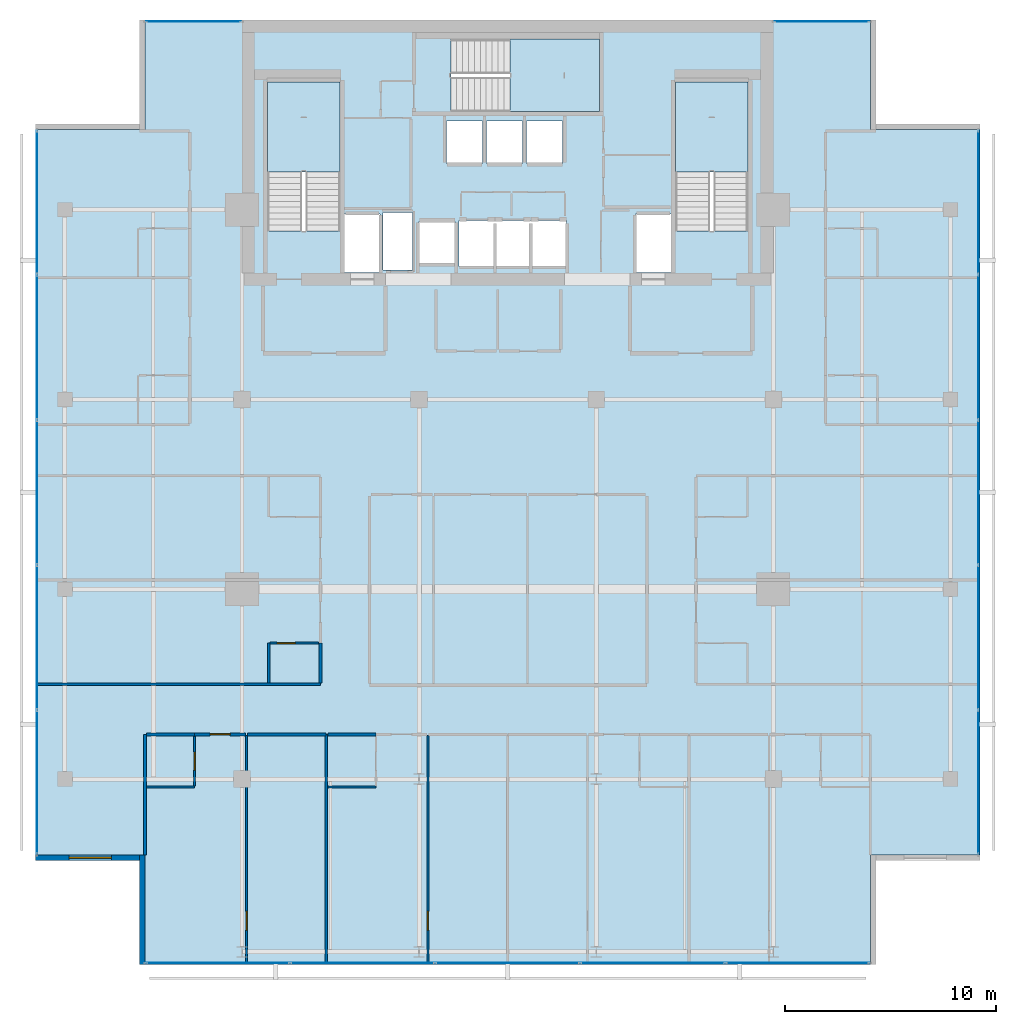
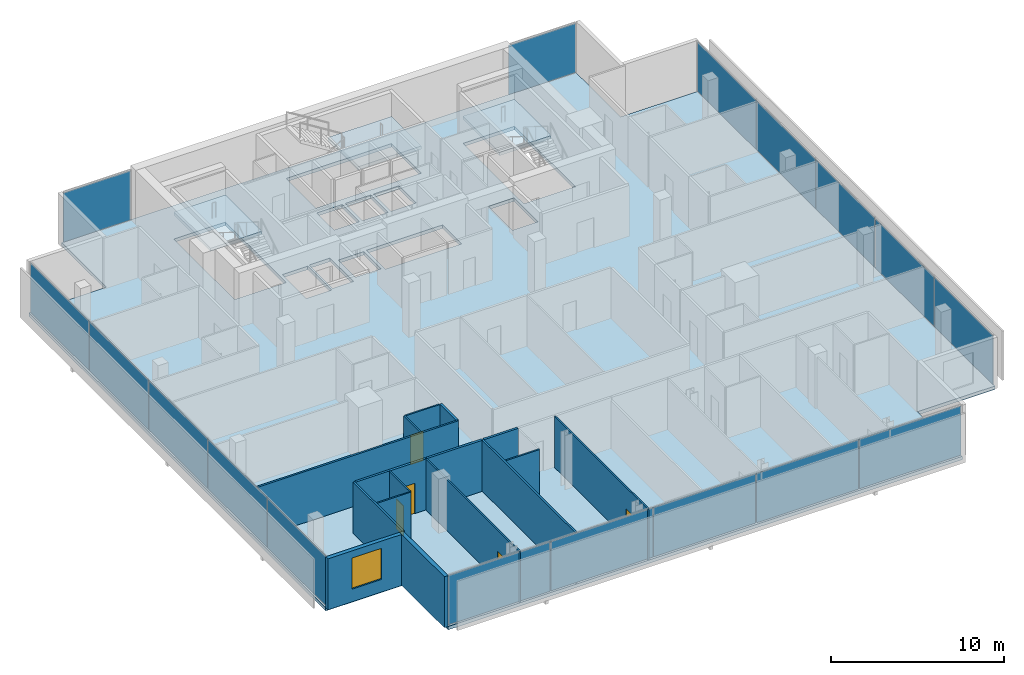
# One storey, part 19 of 26: 17 plates, 17 walls, 5 doors, 4 slabs, 1 window, 6 openings, 8 elements without a shape of their own.
"""IFC4 building model written with IfcOpenShell, lengths in metres."""

from ifc_helpers import new_model, si_unit, direction, frame, frame_2d, origin, origin_2d, place, context, subcontext, project, spatial, polyline, rectangle, outline, extrude, material, layer, layer_set, type_object, element, fill, aggregate, save


model = new_model("IFC4")

# Units and contexts
model_context = context("Model", 3, precision=1e-05, world=origin(), true_north=direction((0.0, 1.0)))
body_context = subcontext(model_context, "Body", "Model", "MODEL_VIEW")
ifc_project = project(units=[si_unit("LENGTHUNIT", "METRE"), si_unit("AREAUNIT", "SQUARE_METRE"), si_unit("VOLUMEUNIT", "CUBIC_METRE"), si_unit("PLANEANGLEUNIT", "RADIAN"), si_unit("MASSUNIT", "GRAM", prefix="KILO")], contexts=[model_context])

# Site, building, storey
site_placement = place(None, origin())
site = spatial("IfcSite", under=ifc_project, at=site_placement, CompositionType="ELEMENT")
building_placement = place(site_placement, origin())
building = spatial("IfcBuilding", under=site, at=building_placement, Name="Maruvema Waterfront Hotel and Observation Tower", CompositionType="ELEMENT")
storey_placement = place(building_placement, frame((0.0, 0.0, 254.800048828125)))
storey = spatial("IfcBuildingStorey", under=building, at=storey_placement, Name="L62", CompositionType="ELEMENT", Elevation=254.800048828125)

# Slab
ifc_material_1 = material(Name="Concrete C50/60", Category="concrete")
ifc_layer_1 = layer(ifc_material_1, 0.239990234375, Name="Reinforced Concrete Floor Slab 240 mm")
ifc_layer_set_1 = layer_set([ifc_layer_1], Name="Concrete C50/60")
slab_type_1 = type_object("IfcSlabType", Name="Reinforced Concrete Floor Slab 240 mm", PredefinedType="FLOOR", material=ifc_layer_set_1)
slab_1_placement = place(storey_placement, frame((0.0, 0.0, -0.239990234375)))
element("IfcSlab", 1, at=slab_1_placement, inside=storey, type_object=slab_type_1, Name="L62 Structural Floor Slab", PredefinedType="FLOOR", context=body_context, shape_type="SweptSolid", body=[
    extrude(outline(polyline([(20.60009765625, 9.199951171875), (55.0, 9.199951171875), (55.0, 14.39990234375), (60.199951171875, 14.39990234375), (60.199951171875, 48.800048828125), (55.0, 48.800048828125), (55.0, 54.0), (20.60009765625, 54.0), (20.60009765625, 48.800048828125), (15.39990234375, 48.800048828125), (15.39990234375, 14.39990234375), (20.60009765625, 14.39990234375), (20.60009765625, 9.199951171875)]), holes=[polyline([(26.39990234375, 44.00048828125), (26.39990234375, 51.050048828125), (29.85009765625, 51.050048828125), (29.85009765625, 44.00048828125), (26.39990234375, 44.00048828125)]), polyline([(30.050048828125, 44.800048828125), (31.75, 44.800048828125), (31.75, 42.02001953125), (30.050048828125, 42.02001953125), (30.050048828125, 44.800048828125)]), polyline([(31.8798828125, 42.139892578125), (31.8798828125, 44.860107421875), (33.280029296875, 44.860107421875), (33.280029296875, 42.139892578125), (31.8798828125, 42.139892578125)]), polyline([(33.60009765625, 44.449951171875), (35.300048828125, 44.449951171875), (35.300048828125, 42.449951171875), (33.60009765625, 42.449951171875), (33.60009765625, 44.449951171875)]), polyline([(34.89990234375, 49.199951171875), (36.60009765625, 49.199951171875), (36.60009765625, 47.199951171875), (34.89990234375, 47.199951171875), (34.89990234375, 49.199951171875)]), polyline([(36.800048828125, 47.199951171875), (36.800048828125, 49.199951171875), (38.5, 49.199951171875), (38.5, 47.199951171875), (36.800048828125, 47.199951171875)]), polyline([(35.5, 42.300048828125), (35.5, 44.5), (40.60009765625, 44.5), (40.60009765625, 42.300048828125), (35.5, 42.300048828125)]), polyline([(35.1005859375, 53.10009765625), (42.14990234375, 53.10009765625), (42.14990234375, 49.64990234375), (35.1005859375, 49.64990234375), (35.1005859375, 53.10009765625)]), polyline([(38.699951171875, 49.199951171875), (40.39990234375, 49.199951171875), (40.39990234375, 47.199951171875), (38.699951171875, 47.199951171875), (38.699951171875, 49.199951171875)]), polyline([(43.85009765625, 44.800048828125), (45.550048828125, 44.800048828125), (45.550048828125, 42.02001953125), (43.85009765625, 42.02001953125), (43.85009765625, 44.800048828125)]), polyline([(45.75, 44.00048828125), (45.75, 51.050048828125), (49.199951171875, 51.050048828125), (49.199951171875, 44.00048828125), (45.75, 44.00048828125)])]), origin(), (0.0, 0.0, 1.0), 0.239990234375),
])

# Curtain wall, plates
ifc_material_2 = material(Name="Anodised bronze aluminium and solar-control low-E IGU", Category="aluminium")
ifc_layer_2 = layer(ifc_material_2, 0.159912109375, Name="Zone 3 Champagne Inner Thermal Curtain Wall System CW-04")
ifc_layer_set_2 = layer_set([ifc_layer_2], Name="Anodised bronze aluminium and solar-control low-E IGU")
curtain_wall_type = type_object("IfcCurtainWallType", Name="Zone 3 Champagne Inner Thermal Curtain Wall System CW-04", PredefinedType="USERDEFINED", material=ifc_layer_set_2)
curtain_wall_1_placement = place(storey_placement, origin())
curtain_wall_1 = element("IfcCurtainWall", 2, at=curtain_wall_1_placement, inside=storey, type_object=curtain_wall_type, Name="L62 Curtain Wall CW-L62-S", ObjectType="UNITISED CURTAIN WALL", PredefinedType="USERDEFINED")
ifc_material_3 = material(Name="Laminated low-E solar-control double glazing", Category="glass")
ifc_layer_3 = layer(ifc_material_3, 0.035888671875, Name="Solar Control Double-Glazed Curtain Panel 36 mm")
ifc_layer_set_3 = layer_set([ifc_layer_3], Name="Laminated low-E solar-control double glazing")
plate_type = type_object("IfcPlateType", Name="Solar Control Double-Glazed Curtain Panel 36 mm", PredefinedType="CURTAIN_PANEL", material=ifc_layer_set_3)
plate_1_placement = place(storey_placement, frame((24.054931640625, 9.280029296875, 0.06005859375), z_axis=(0.0, 0.0, 1.0), x_axis=(1.0, 0.0, 0.0)))
plate_1 = element("IfcPlate", 3, at=plate_1_placement, type_object=plate_type, Name="CW-04 panel 1.1", PredefinedType="CURTAIN_PANEL", context=body_context, shape_type="SweptSolid", body=[
    extrude(rectangle(XDim=6.7900390625, YDim=0.028076171875, at=origin_2d()), origin(), (0.0, 0.0, 1.0), 3.489990234375),
])
plate_2_placement = place(storey_placement, frame((30.919921875, 9.280029296875, 0.06005859375), z_axis=(0.0, 0.0, 1.0), x_axis=(1.0, 0.0, 0.0)))
plate_2 = element("IfcPlate", 4, at=plate_2_placement, type_object=plate_type, Name="CW-04 panel 2.1", PredefinedType="CURTAIN_PANEL", context=body_context, shape_type="SweptSolid", body=[
    extrude(rectangle(XDim=6.820068359375, YDim=0.028076171875, at=origin_2d()), origin(), (0.0, 0.0, 1.0), 3.489990234375),
])
plate_3_placement = place(storey_placement, frame((37.800048828125, 9.280029296875, 0.06005859375), z_axis=(0.0, 0.0, 1.0), x_axis=(1.0, 0.0, 0.0)))
plate_3 = element("IfcPlate", 5, at=plate_3_placement, type_object=plate_type, Name="CW-04 panel 3.1", PredefinedType="CURTAIN_PANEL", context=body_context, shape_type="SweptSolid", body=[
    extrude(rectangle(XDim=6.820068359375, YDim=0.028076171875, at=origin_2d()), origin(), (0.0, 0.0, 1.0), 3.489990234375),
])
plate_4_placement = place(storey_placement, frame((44.679931640625, 9.280029296875, 0.06005859375), z_axis=(0.0, 0.0, 1.0), x_axis=(1.0, 0.0, 0.0)))
plate_4 = element("IfcPlate", 6, at=plate_4_placement, type_object=plate_type, Name="CW-04 panel 4.1", PredefinedType="CURTAIN_PANEL", context=body_context, shape_type="SweptSolid", body=[
    extrude(rectangle(XDim=6.820068359375, YDim=0.028076171875, at=origin_2d()), origin(), (0.0, 0.0, 1.0), 3.489990234375),
])
plate_5_placement = place(storey_placement, frame((51.544921875, 9.280029296875, 0.06005859375), z_axis=(0.0, 0.0, 1.0), x_axis=(1.0, 0.0, 0.0)))
plate_5 = element("IfcPlate", 7, at=plate_5_placement, type_object=plate_type, Name="CW-04 panel 5.1", PredefinedType="CURTAIN_PANEL", context=body_context, shape_type="SweptSolid", body=[
    extrude(rectangle(XDim=6.7900390625, YDim=0.028076171875, at=origin_2d()), origin(), (0.0, 0.0, 1.0), 3.489990234375),
])
aggregate(curtain_wall_1, [plate_1, plate_2, plate_3, plate_4, plate_5])

curtain_wall_2_placement = place(storey_placement, origin())
curtain_wall_2 = element("IfcCurtainWall", 8, at=curtain_wall_2_placement, inside=storey, type_object=curtain_wall_type, Name="L62 Curtain Wall CW-L62-E", ObjectType="UNITISED CURTAIN WALL", PredefinedType="USERDEFINED")
plate_6_placement = place(storey_placement, frame((60.1201171875, 17.85498046875, 0.06005859375), z_axis=(0.0, 0.0, 1.0), x_axis=(0.0, 1.0, 0.0)))
plate_6 = element("IfcPlate", 9, at=plate_6_placement, type_object=plate_type, Name="CW-04 panel 1.1", PredefinedType="CURTAIN_PANEL", context=body_context, shape_type="SweptSolid", body=[
    extrude(rectangle(XDim=6.7900390625, YDim=0.028076171875, at=origin_2d()), origin(), (0.0, 0.0, 1.0), 3.489990234375),
])
plate_7_placement = place(storey_placement, frame((60.1201171875, 24.719970703125, 0.06005859375), z_axis=(0.0, 0.0, 1.0), x_axis=(0.0, 1.0, 0.0)))
plate_7 = element("IfcPlate", 10, at=plate_7_placement, type_object=plate_type, Name="CW-04 panel 2.1", PredefinedType="CURTAIN_PANEL", context=body_context, shape_type="SweptSolid", body=[
    extrude(rectangle(XDim=6.820068359375, YDim=0.028076171875, at=origin_2d()), origin(), (0.0, 0.0, 1.0), 3.489990234375),
])
plate_8_placement = place(storey_placement, frame((60.1201171875, 31.60009765625, 0.06005859375), z_axis=(0.0, 0.0, 1.0), x_axis=(0.0, 1.0, 0.0)))
plate_8 = element("IfcPlate", 11, at=plate_8_placement, type_object=plate_type, Name="CW-04 panel 3.1", PredefinedType="CURTAIN_PANEL", context=body_context, shape_type="SweptSolid", body=[
    extrude(rectangle(XDim=6.820068359375, YDim=0.028076171875, at=origin_2d()), origin(), (0.0, 0.0, 1.0), 3.489990234375),
])
plate_9_placement = place(storey_placement, frame((60.1201171875, 38.47998046875, 0.06005859375), z_axis=(0.0, 0.0, 1.0), x_axis=(0.0, 1.0, 0.0)))
plate_9 = element("IfcPlate", 12, at=plate_9_placement, type_object=plate_type, Name="CW-04 panel 4.1", PredefinedType="CURTAIN_PANEL", context=body_context, shape_type="SweptSolid", body=[
    extrude(rectangle(XDim=6.820068359375, YDim=0.028076171875, at=origin_2d()), origin(), (0.0, 0.0, 1.0), 3.489990234375),
])
plate_10_placement = place(storey_placement, frame((60.1201171875, 45.344970703125, 0.06005859375), z_axis=(0.0, 0.0, 1.0), x_axis=(0.0, 1.0, 0.0)))
plate_10 = element("IfcPlate", 13, at=plate_10_placement, type_object=plate_type, Name="CW-04 panel 5.1", PredefinedType="CURTAIN_PANEL", context=body_context, shape_type="SweptSolid", body=[
    extrude(rectangle(XDim=6.7900390625, YDim=0.028076171875, at=origin_2d()), origin(), (0.0, 0.0, 1.0), 3.489990234375),
])
aggregate(curtain_wall_2, [plate_6, plate_7, plate_8, plate_9, plate_10])

curtain_wall_3_placement = place(storey_placement, origin())
curtain_wall_3 = element("IfcCurtainWall", 14, at=curtain_wall_3_placement, inside=storey, type_object=curtain_wall_type, Name="L62 Curtain Wall CW-L62-W", ObjectType="UNITISED CURTAIN WALL", PredefinedType="USERDEFINED")
plate_11_placement = place(storey_placement, frame((15.47998046875, 45.344970703125, 0.06005859375), z_axis=(0.0, 0.0, 1.0), x_axis=(0.0, -1.0, 0.0)))
plate_11 = element("IfcPlate", 15, at=plate_11_placement, type_object=plate_type, Name="CW-04 panel 1.1", PredefinedType="CURTAIN_PANEL", context=body_context, shape_type="SweptSolid", body=[
    extrude(rectangle(XDim=6.7900390625, YDim=0.028076171875, at=origin_2d()), origin(), (0.0, 0.0, 1.0), 3.489990234375),
])
plate_12_placement = place(storey_placement, frame((15.47998046875, 38.47998046875, 0.06005859375), z_axis=(0.0, 0.0, 1.0), x_axis=(0.0, -1.0, 0.0)))
plate_12 = element("IfcPlate", 16, at=plate_12_placement, type_object=plate_type, Name="CW-04 panel 2.1", PredefinedType="CURTAIN_PANEL", context=body_context, shape_type="SweptSolid", body=[
    extrude(rectangle(XDim=6.820068359375, YDim=0.028076171875, at=origin_2d()), origin(), (0.0, 0.0, 1.0), 3.489990234375),
])
plate_13_placement = place(storey_placement, frame((15.47998046875, 31.60009765625, 0.06005859375), z_axis=(0.0, 0.0, 1.0), x_axis=(0.0, -1.0, 0.0)))
plate_13 = element("IfcPlate", 17, at=plate_13_placement, type_object=plate_type, Name="CW-04 panel 3.1", PredefinedType="CURTAIN_PANEL", context=body_context, shape_type="SweptSolid", body=[
    extrude(rectangle(XDim=6.820068359375, YDim=0.028076171875, at=origin_2d()), origin(), (0.0, 0.0, 1.0), 3.489990234375),
])
plate_14_placement = place(storey_placement, frame((15.47998046875, 24.719970703125, 0.06005859375), z_axis=(0.0, 0.0, 1.0), x_axis=(0.0, -1.0, 0.0)))
plate_14 = element("IfcPlate", 18, at=plate_14_placement, type_object=plate_type, Name="CW-04 panel 4.1", PredefinedType="CURTAIN_PANEL", context=body_context, shape_type="SweptSolid", body=[
    extrude(rectangle(XDim=6.820068359375, YDim=0.028076171875, at=origin_2d()), origin(), (0.0, 0.0, 1.0), 3.489990234375),
])
plate_15_placement = place(storey_placement, frame((15.47998046875, 17.85498046875, 0.06005859375), z_axis=(0.0, 0.0, 1.0), x_axis=(0.0, -1.0, 0.0)))
plate_15 = element("IfcPlate", 19, at=plate_15_placement, type_object=plate_type, Name="CW-04 panel 5.1", PredefinedType="CURTAIN_PANEL", context=body_context, shape_type="SweptSolid", body=[
    extrude(rectangle(XDim=6.7900390625, YDim=0.028076171875, at=origin_2d()), origin(), (0.0, 0.0, 1.0), 3.489990234375),
])
aggregate(curtain_wall_3, [plate_11, plate_12, plate_13, plate_14, plate_15])

# Curtain wall, plate
curtain_wall_4_placement = place(storey_placement, origin())
curtain_wall_4 = element("IfcCurtainWall", 20, at=curtain_wall_4_placement, inside=storey, type_object=curtain_wall_type, Name="L62 Curtain Wall CW-L62-NW", ObjectType="UNITISED CURTAIN WALL", PredefinedType="USERDEFINED")
plate_16_placement = place(storey_placement, frame((22.89990234375, 53.919921875, 0.06005859375), z_axis=(0.0, 0.0, 1.0), x_axis=(-1.0, 0.0, 0.0)))
plate_16 = element("IfcPlate", 21, at=plate_16_placement, type_object=plate_type, Name="CW-04 panel 1.1", PredefinedType="CURTAIN_PANEL", context=body_context, shape_type="SweptSolid", body=[
    extrude(rectangle(XDim=4.47998046875, YDim=0.028076171875, at=origin_2d()), origin(), (0.0, 0.0, 1.0), 3.489990234375),
])
aggregate(curtain_wall_4, [plate_16])

curtain_wall_5_placement = place(storey_placement, origin())
curtain_wall_5 = element("IfcCurtainWall", 22, at=curtain_wall_5_placement, inside=storey, type_object=curtain_wall_type, Name="L62 Curtain Wall CW-L62-NE", ObjectType="UNITISED CURTAIN WALL", PredefinedType="USERDEFINED")
plate_17_placement = place(storey_placement, frame((52.699951171875, 53.919921875, 0.06005859375), z_axis=(0.0, 0.0, 1.0), x_axis=(-1.0, 0.0, 0.0)))
plate_17 = element("IfcPlate", 23, at=plate_17_placement, type_object=plate_type, Name="CW-04 panel 1.1", PredefinedType="CURTAIN_PANEL", context=body_context, shape_type="SweptSolid", body=[
    extrude(rectangle(XDim=4.47998046875, YDim=0.028076171875, at=origin_2d()), origin(), (0.0, 0.0, 1.0), 3.489990234375),
])
aggregate(curtain_wall_5, [plate_17])

# Stair, slab
ifc_material_4 = material(Name="Concrete C50/60", Category="concrete")
stair_type = type_object("IfcStairType", Name="Dogleg Exit Stair 1650 mm (22R x 175.0 mm)", PredefinedType="HALF_TURN_STAIR", material=ifc_material_4)
stair_1_placement = place(storey_placement, origin())
stair_1 = element("IfcStair", 24, at=stair_1_placement, inside=storey, type_object=stair_type, Name="L62 ST-01", PredefinedType="HALF_TURN_STAIR")
ifc_material_5 = material(Name="Concrete C50/60", Category="concrete")
ifc_layer_4 = layer(ifc_material_5, 0.219970703125, Name="Stair Concrete Landing Slab 220 mm")
ifc_layer_set_4 = layer_set([ifc_layer_4], Name="Concrete C50/60")
slab_type_2 = type_object("IfcSlabType", Name="Stair Concrete Landing Slab 220 mm", PredefinedType="LANDING", material=ifc_layer_set_4)
slab_2_placement = place(storey_placement, frame((0.0, 0.0, 1.704833984375)))
slab_2 = element("IfcSlab", 25, at=slab_2_placement, type_object=slab_type_2, Name="ST-01 landing 1", PredefinedType="LANDING", context=body_context, shape_type="SweptSolid", body=[
    extrude(outline(polyline([(29.85009765625, 46.800048828125), (29.85009765625, 51.050048828125), (26.39990234375, 51.050048828125), (26.39990234375, 46.800048828125), (29.85009765625, 46.800048828125)])), origin(), (0.0, 0.0, 1.0), 0.22021484375),
])
aggregate(stair_1, [slab_2])

stair_2_placement = place(storey_placement, origin())
stair_2 = element("IfcStair", 26, at=stair_2_placement, inside=storey, type_object=stair_type, Name="L62 ST-02", PredefinedType="HALF_TURN_STAIR")
slab_3_placement = place(storey_placement, frame((0.0, 0.0, 1.704833984375)))
slab_3 = element("IfcSlab", 27, at=slab_3_placement, type_object=slab_type_2, Name="ST-02 landing 1", PredefinedType="LANDING", context=body_context, shape_type="SweptSolid", body=[
    extrude(outline(polyline([(37.89990234375, 49.64990234375), (42.14990234375, 49.64990234375), (42.14990234375, 53.10009765625), (37.89990234375, 53.10009765625), (37.89990234375, 49.64990234375)])), origin(), (0.0, 0.0, 1.0), 0.22021484375),
])
aggregate(stair_2, [slab_3])

stair_3_placement = place(storey_placement, origin())
stair_3 = element("IfcStair", 28, at=stair_3_placement, inside=storey, type_object=stair_type, Name="L62 ST-03", PredefinedType="HALF_TURN_STAIR")
slab_4_placement = place(storey_placement, frame((0.0, 0.0, 1.704833984375)))
slab_4 = element("IfcSlab", 29, at=slab_4_placement, type_object=slab_type_2, Name="ST-03 landing 1", PredefinedType="LANDING", context=body_context, shape_type="SweptSolid", body=[
    extrude(outline(polyline([(49.199951171875, 46.800048828125), (49.199951171875, 51.050048828125), (45.75, 51.050048828125), (45.75, 46.800048828125), (49.199951171875, 46.800048828125)])), origin(), (0.0, 0.0, 1.0), 0.22021484375),
])
aggregate(stair_3, [slab_4])

# Wall
ifc_material_6 = material(Name="Twin-stud acoustic gypsum drywall", Category="gypsum")
ifc_layer_5 = layer(ifc_material_6, 0.14990234375, Name="Acoustic Corridor and Suite Demising Wall 150 mm")
ifc_layer_set_5 = layer_set([ifc_layer_5], Name="Twin-stud acoustic gypsum drywall")
wall_type_1 = type_object("IfcWallType", Name="Acoustic Corridor and Suite Demising Wall 150 mm", PredefinedType="PARTITIONING", material=ifc_layer_set_5)
wall_1_placement = place(storey_placement, frame((20.679931640625, 20.1201171875, 0.0), z_axis=(0.0, 0.0, 1.0), x_axis=(1.0, 0.0, 0.0)))
element("IfcWall", 30, at=wall_1_placement, inside=storey, type_object=wall_type_1, Name="L62 Bath L62-S1 Back Wall 041", PredefinedType="PARTITIONING", context=body_context, shape_type="SweptSolid", body=[
    extrude(rectangle(XDim=2.27001953125, YDim=0.14990234375, at=frame_2d((1.135009765625, 0.0))), origin(), (0.0, 0.0, 1.0), 3.60986328125),
])

# Wall, opening, door
wall_2_placement = place(storey_placement, frame((22.949951171875, 20.1201171875, 0.0), z_axis=(0.0, 0.0, 1.0), x_axis=(1.0, 0.0, 0.0)))
wall_2 = element("IfcWall", 31, at=wall_2_placement, inside=storey, type_object=wall_type_1, Name="L62 Unit L62-S1 Corridor Wall 044", PredefinedType="PARTITIONING", context=body_context, shape_type="SweptSolid", body=[
    extrude(rectangle(XDim=2.426025390625, YDim=0.14990234375, at=frame_2d((1.212890625, 0.0))), origin(), (0.0, 0.0, 1.0), 3.60986328125),
])
opening_1_placement = place(wall_2_placement, frame((0.738037109375, 0.0, 0.0)))
opening_1 = element("IfcOpeningElement", 32, at=opening_1_placement, cuts=wall_2, Name="Opening DR-095", PredefinedType="OPENING", context=body_context, shape_type="SweptSolid", body=[
    extrude(rectangle(XDim=0.949951171875, YDim=2.14990234375, at=frame_2d((0.47509765625, 1.074951171875))), frame((0.0, 0.0849609375, 0.0), z_axis=(0.0, -1.0, 0.0), x_axis=(1.0, 0.0, 0.0)), (0.0, 0.0, 1.0), 0.169921875),
])
ifc_material_7 = material(Name="Acoustic solid-core hardwood timber leaf", Category="wood")
door_type_1 = type_object("IfcDoorType", Name="Guestroom Entrance Fire Door 950x2150 mm", OperationType="NOTDEFINED", PredefinedType="DOOR", material=ifc_material_7)
door_1_placement = place(opening_1_placement, frame((0.949951171875, 0.0, 0.0), z_axis=(0.0, 0.0, 1.0), x_axis=(-1.0, 0.0, 0.0)))
door_1 = element("IfcDoor", 33, at=door_1_placement, inside=storey, type_object=door_type_1, Name="L62 Unit L62-S1 Entrance Door", OperationType="SINGLE_SWING_RIGHT", OverallHeight=2.14990234375, OverallWidth=0.949951171875, PredefinedType="DOOR", context=body_context, shape_type="SweptSolid", body=[
    extrude(rectangle(XDim=0.949951171875, YDim=2.14990234375, at=frame_2d((0.47509765625, 1.074951171875))), frame((0.0, 0.02490234375, 0.0), z_axis=(0.0, -1.0, 0.0), x_axis=(1.0, 0.0, 0.0)), (0.0, 0.0, 1.0), 0.050048828125),
])
fill(opening_1, door_1)

# Walls
wall_3_placement = place(storey_placement, frame((25.4560546875, 20.1201171875, 0.0), z_axis=(0.0, 0.0, 1.0), x_axis=(1.0, 0.0, 0.0)))
element("IfcWall", 34, at=wall_3_placement, inside=storey, type_object=wall_type_1, Name="L62 Bedroom L62-S1 Back Wall 045", PredefinedType="PARTITIONING", context=body_context, shape_type="SweptSolid", body=[
    extrude(rectangle(XDim=3.723876953125, YDim=0.14990234375, at=frame_2d((1.86181640625, 0.0))), origin(), (0.0, 0.0, 1.0), 3.60986328125),
])
wall_4_placement = place(storey_placement, frame((29.280029296875, 20.1201171875, 0.0), z_axis=(0.0, 0.0, 1.0), x_axis=(1.0, 0.0, 0.0)))
element("IfcWall", 35, at=wall_4_placement, inside=storey, type_object=wall_type_1, Name="L62 Bath L62-S2 Back Wall 048", PredefinedType="PARTITIONING", context=body_context, shape_type="SweptSolid", body=[
    extrude(rectangle(XDim=2.27001953125, YDim=0.14990234375, at=frame_2d((1.135009765625, 0.0))), origin(), (0.0, 0.0, 1.0), 3.60986328125),
])
wall_5_placement = place(storey_placement, frame((28.919921875, 22.56005859375, 0.0), z_axis=(0.0, 0.0, 1.0), x_axis=(0.0, 1.0, 0.0)))
element("IfcWall", 36, at=wall_5_placement, inside=storey, type_object=wall_type_1, Name="L62 Bath L62-W1 Wall 072", PredefinedType="PARTITIONING", context=body_context, shape_type="SweptSolid", body=[
    extrude(rectangle(XDim=1.889892578125, YDim=0.14990234375, at=frame_2d((0.94482421875, 0.0))), origin(), (0.0, 0.0, 1.0), 3.60986328125),
])
ifc_material_8 = material(Name="Moisture-resistant cement-board drywall", Category="gypsum")
ifc_layer_6 = layer(ifc_material_8, 0.10009765625, Name="En-Suite Moisture-Resistant Partition 100 mm")
ifc_layer_set_6 = layer_set([ifc_layer_6], Name="Moisture-resistant cement-board drywall")
wall_type_2 = type_object("IfcWallType", Name="En-Suite Moisture-Resistant Partition 100 mm", PredefinedType="PARTITIONING", material=ifc_layer_set_6)
wall_6_placement = place(storey_placement, frame((20.679931640625, 17.6201171875, 0.0), z_axis=(0.0, 0.0, 1.0), x_axis=(1.0, 0.0, 0.0)))
element("IfcWall", 37, at=wall_6_placement, inside=storey, type_object=wall_type_2, Name="L62 En-Suite L62-S1 South 042", PredefinedType="PARTITIONING", context=body_context, shape_type="SweptSolid", body=[
    extrude(rectangle(XDim=2.27001953125, YDim=0.10009765625, at=frame_2d((1.135009765625, 0.0))), origin(), (0.0, 0.0, 1.0), 3.60986328125),
])

# Wall, opening, door
wall_7_placement = place(storey_placement, frame((22.949951171875, 17.679931640625, 0.0), z_axis=(0.0, 0.0, 1.0), x_axis=(0.0, 1.0, 0.0)))
wall_7 = element("IfcWall", 38, at=wall_7_placement, inside=storey, type_object=wall_type_2, Name="L62 En-Suite L62-S1 East 043", PredefinedType="PARTITIONING", context=body_context, shape_type="SweptSolid", body=[
    extrude(rectangle(XDim=2.340087890625, YDim=0.10009765625, at=frame_2d((1.169921875, 0.0))), origin(), (0.0, 0.0, 1.0), 3.60986328125),
])
opening_2_placement = place(wall_7_placement, frame((0.7451171875, 0.0, 0.0)))
opening_2 = element("IfcOpeningElement", 39, at=opening_2_placement, cuts=wall_7, Name="Opening DR-085", PredefinedType="OPENING", context=body_context, shape_type="SweptSolid", body=[
    extrude(rectangle(XDim=0.85009765625, YDim=2.10009765625, at=frame_2d((0.425048828125, 1.050048828125))), frame((0.0, 0.06005859375, 0.0), z_axis=(0.0, -1.0, 0.0), x_axis=(1.0, 0.0, 0.0)), (0.0, 0.0, 1.0), 0.1201171875),
])
ifc_material_9 = material(Name="Moisture-resistant solid timber leaf", Category="wood")
door_type_2 = type_object("IfcDoorType", Name="En-Suite Bathroom Door 850x2100 mm", OperationType="NOTDEFINED", PredefinedType="DOOR", material=ifc_material_9)
door_2_placement = place(opening_2_placement, frame((0.85009765625, 0.0, 0.0), z_axis=(0.0, 0.0, 1.0), x_axis=(-1.0, 0.0, 0.0)))
door_2 = element("IfcDoor", 40, at=door_2_placement, inside=storey, type_object=door_type_2, Name="L62 En-Suite L62-S1 Door", OperationType="SINGLE_SWING_LEFT", OverallHeight=2.10009765625, OverallWidth=0.85009765625, PredefinedType="DOOR", context=body_context, shape_type="SweptSolid", body=[
    extrude(rectangle(XDim=0.85009765625, YDim=2.10009765625, at=frame_2d((0.425048828125, 1.050048828125))), frame((0.0, 0.02490234375, 0.0), z_axis=(0.0, -1.0, 0.0), x_axis=(1.0, 0.0, 0.0)), (0.0, 0.0, 1.0), 0.050048828125),
])
fill(opening_2, door_2)

wall_8_placement = place(storey_placement, frame((25.416015625, 9.22998046875, 0.0), z_axis=(0.0, 0.0, 1.0), x_axis=(0.0, 1.0, 0.0)))
wall_8 = element("IfcWall", 41, at=wall_8_placement, inside=storey, type_object=wall_type_2, Name="L62 Suite L62-S1 Split 046", PredefinedType="PARTITIONING", context=body_context, shape_type="SweptSolid", body=[
    extrude(rectangle(XDim=10.830078125, YDim=0.10009765625, at=frame_2d((5.4150390625, 0.0))), origin(), (0.0, 0.0, 1.0), 3.60986328125),
])
opening_3_placement = place(wall_8_placement, frame((1.60009765625, 0.0, 0.0)))
opening_3 = element("IfcOpeningElement", 42, at=opening_3_placement, cuts=wall_8, Name="Opening DR-090", PredefinedType="OPENING", context=body_context, shape_type="SweptSolid", body=[
    extrude(rectangle(XDim=0.89990234375, YDim=2.10009765625, at=frame_2d((0.449951171875, 1.050048828125))), frame((0.0, 0.06005859375, 0.0), z_axis=(0.0, -1.0, 0.0), x_axis=(1.0, 0.0, 0.0)), (0.0, 0.0, 1.0), 0.1201171875),
])
ifc_material_10 = material(Name="Solid-core lacquered timber leaf", Category="wood")
door_type_3 = type_object("IfcDoorType", Name="Accessible Toilet and Room Door 900x2100 mm", OperationType="NOTDEFINED", PredefinedType="DOOR", material=ifc_material_10)
door_3_placement = place(opening_3_placement, origin())
door_3 = element("IfcDoor", 43, at=door_3_placement, inside=storey, type_object=door_type_3, Name="L62 Suite L62-S1 Bedroom Door", OperationType="SINGLE_SWING_LEFT", OverallHeight=2.10009765625, OverallWidth=0.89990234375, PredefinedType="DOOR", context=body_context, shape_type="SweptSolid", body=[
    extrude(rectangle(XDim=0.89990234375, YDim=2.10009765625, at=frame_2d((0.449951171875, 1.050048828125))), frame((0.0, 0.02490234375, 0.0), z_axis=(0.0, -1.0, 0.0), x_axis=(1.0, 0.0, 0.0)), (0.0, 0.0, 1.0), 0.050048828125),
])
fill(opening_3, door_3)

# Wall
wall_9_placement = place(storey_placement, frame((29.280029296875, 17.6201171875, 0.0), z_axis=(0.0, 0.0, 1.0), x_axis=(1.0, 0.0, 0.0)))
element("IfcWall", 44, at=wall_9_placement, inside=storey, type_object=wall_type_2, Name="L62 En-Suite L62-S2 South 049", PredefinedType="PARTITIONING", context=body_context, shape_type="SweptSolid", body=[
    extrude(rectangle(XDim=2.27001953125, YDim=0.10009765625, at=frame_2d((1.135009765625, 0.0))), origin(), (0.0, 0.0, 1.0), 3.60986328125),
])

# Wall, opening, door
wall_10_placement = place(storey_placement, frame((34.01611328125, 9.22998046875, 0.0), z_axis=(0.0, 0.0, 1.0), x_axis=(0.0, 1.0, 0.0)))
wall_10 = element("IfcWall", 45, at=wall_10_placement, inside=storey, type_object=wall_type_2, Name="L62 Suite L62-S2 Split 053", PredefinedType="PARTITIONING", context=body_context, shape_type="SweptSolid", body=[
    extrude(rectangle(XDim=10.830078125, YDim=0.10009765625, at=frame_2d((5.4150390625, 0.0))), origin(), (0.0, 0.0, 1.0), 3.60986328125),
])
opening_4_placement = place(wall_10_placement, frame((1.60009765625, 0.0, 0.0)))
opening_4 = element("IfcOpeningElement", 46, at=opening_4_placement, cuts=wall_10, Name="Opening DR-090", PredefinedType="OPENING", context=body_context, shape_type="SweptSolid", body=[
    extrude(rectangle(XDim=0.89990234375, YDim=2.10009765625, at=frame_2d((0.449951171875, 1.050048828125))), frame((0.0, 0.06005859375, 0.0), z_axis=(0.0, -1.0, 0.0), x_axis=(1.0, 0.0, 0.0)), (0.0, 0.0, 1.0), 0.1201171875),
])
door_4_placement = place(opening_4_placement, origin())
door_4 = element("IfcDoor", 47, at=door_4_placement, inside=storey, type_object=door_type_3, Name="L62 Suite L62-S2 Bedroom Door", OperationType="SINGLE_SWING_RIGHT", OverallHeight=2.10009765625, OverallWidth=0.89990234375, PredefinedType="DOOR", context=body_context, shape_type="SweptSolid", body=[
    extrude(rectangle(XDim=0.89990234375, YDim=2.10009765625, at=frame_2d((0.449951171875, 1.050048828125))), frame((0.0, 0.02490234375, 0.0), z_axis=(0.0, -1.0, 0.0), x_axis=(1.0, 0.0, 0.0)), (0.0, 0.0, 1.0), 0.050048828125),
])
fill(opening_4, door_4)

# Wall
wall_11_placement = place(storey_placement, frame((26.469970703125, 22.56005859375, 0.0), z_axis=(0.0, 0.0, 1.0), x_axis=(0.0, 1.0, 0.0)))
element("IfcWall", 48, at=wall_11_placement, inside=storey, type_object=wall_type_2, Name="L62 En-Suite L62-W1 W 074", PredefinedType="PARTITIONING", context=body_context, shape_type="SweptSolid", body=[
    extrude(rectangle(XDim=1.889892578125, YDim=0.10009765625, at=frame_2d((0.94482421875, 0.0))), origin(), (0.0, 0.0, 1.0), 3.60986328125),
])

# Wall, opening, door
wall_12_placement = place(storey_placement, frame((26.52001953125, 24.449951171875, 0.0), z_axis=(0.0, 0.0, 1.0), x_axis=(1.0, 0.0, 0.0)))
wall_12 = element("IfcWall", 49, at=wall_12_placement, inside=storey, type_object=wall_type_2, Name="L62 En-Suite L62-W1 N 075", PredefinedType="PARTITIONING", context=body_context, shape_type="SweptSolid", body=[
    extrude(rectangle(XDim=2.300048828125, YDim=0.10009765625, at=frame_2d((1.14990234375, 0.0))), origin(), (0.0, 0.0, 1.0), 3.60986328125),
])
opening_5_placement = place(wall_12_placement, frame((0.35009765625, 0.0, 0.0)))
opening_5 = element("IfcOpeningElement", 50, at=opening_5_placement, cuts=wall_12, Name="Opening DR-085", PredefinedType="OPENING", context=body_context, shape_type="SweptSolid", body=[
    extrude(rectangle(XDim=0.85009765625, YDim=2.10009765625, at=frame_2d((0.425048828125, 1.050048828125))), frame((0.0, 0.06005859375, 0.0), z_axis=(0.0, -1.0, 0.0), x_axis=(1.0, 0.0, 0.0)), (0.0, 0.0, 1.0), 0.1201171875),
])
door_5_placement = place(opening_5_placement, origin())
door_5 = element("IfcDoor", 51, at=door_5_placement, inside=storey, type_object=door_type_2, Name="L62 En-Suite L62-W1 Door", OperationType="SINGLE_SWING_LEFT", OverallHeight=2.10009765625, OverallWidth=0.85009765625, PredefinedType="DOOR", context=body_context, shape_type="SweptSolid", body=[
    extrude(rectangle(XDim=0.85009765625, YDim=2.10009765625, at=frame_2d((0.425048828125, 1.050048828125))), frame((0.0, 0.02490234375, 0.0), z_axis=(0.0, -1.0, 0.0), x_axis=(1.0, 0.0, 0.0)), (0.0, 0.0, 1.0), 0.050048828125),
])
fill(opening_5, door_5)

# Wall
ifc_material_11 = material(Name="Precast concrete C45/55 with honed Pernambuco granite facing", Category="masonry")
ifc_layer_7 = layer(ifc_material_11, 0.260009765625, Name="Exterior Granite Clad Spandrel and Pier Wall 260 mm")
ifc_layer_set_7 = layer_set([ifc_layer_7], Name="Precast concrete C45/55 with honed Pernambuco granite facing")
wall_type_3 = type_object("IfcWallType", Name="Exterior Granite Clad Spandrel and Pier Wall 260 mm", PredefinedType="SOLIDWALL", material=ifc_layer_set_7)
wall_13_placement = place(storey_placement, frame((20.469970703125, 9.199951171875, 0.0), z_axis=(0.0, 0.0, 1.0), x_axis=(0.0, 1.0, 0.0)))
element("IfcWall", 52, at=wall_13_placement, inside=storey, type_object=wall_type_3, Name="L62 Corner Notch Granite Pier Wall SW1", PredefinedType="SOLIDWALL", context=body_context, shape_type="SweptSolid", body=[
    extrude(rectangle(XDim=5.199951171875, YDim=0.260009765625, at=frame_2d((2.60009765625, 0.0))), origin(), (0.0, 0.0, 1.0), 3.60986328125),
])

# Wall, opening, window
wall_14_placement = place(storey_placement, frame((20.60009765625, 14.27001953125, 0.0), z_axis=(0.0, 0.0, 1.0), x_axis=(-1.0, 0.0, 0.0)))
wall_14 = element("IfcWall", 53, at=wall_14_placement, inside=storey, type_object=wall_type_3, Name="L62 Corner Notch Granite Pier Wall SW2", PredefinedType="SOLIDWALL", context=body_context, shape_type="SweptSolid", body=[
    extrude(rectangle(XDim=5.2001953125, YDim=0.260009765625, at=frame_2d((2.60009765625, 0.0))), origin(), (0.0, 0.0, 1.0), 3.60986328125),
])
opening_6_placement = place(wall_14_placement, frame((1.60009765625, 0.0, 0.89990234375)))
opening_6 = element("IfcOpeningElement", 54, at=opening_6_placement, cuts=wall_14, Name="Opening WN-03", PredefinedType="OPENING", context=body_context, shape_type="SweptSolid", body=[
    extrude(rectangle(XDim=2.0, YDim=2.199951171875, at=frame_2d((1.0, 1.10009765625))), frame((0.0, 0.14013671875, 0.0), z_axis=(0.0, -1.0, 0.0), x_axis=(1.0, 0.0, 0.0)), (0.0, 0.0, 1.0), 0.280029296875),
])
ifc_material_12 = material(Name="Anodised bronze aluminium frame with laminated low-E glass", Category="aluminium")
window_type = type_object("IfcWindowType", Name="Sky Suite Panoramic Notch Window 2000x2200 mm", PartitioningType="SINGLE_PANEL", PredefinedType="WINDOW", material=ifc_material_12)
window_placement = place(opening_6_placement, origin())
window = element("IfcWindow", 55, at=window_placement, inside=storey, type_object=window_type, Name="L62 Corner Notch Punched Window SW2", OverallHeight=2.199951171875, OverallWidth=2.0, PartitioningType="SINGLE_PANEL", PredefinedType="WINDOW", context=body_context, shape_type="SweptSolid", body=[
    extrude(rectangle(XDim=2.0, YDim=2.199951171875, at=frame_2d((1.0, 1.10009765625))), frame((0.0, 0.030029296875, 0.0), z_axis=(0.0, -1.0, 0.0), x_axis=(1.0, 0.0, 0.0)), (0.0, 0.0, 1.0), 0.06005859375),
])
fill(opening_6, window)

# Walls
ifc_material_13 = material(Name="Acoustic gypsum plasterboard drywall", Category="gypsum")
ifc_layer_8 = layer(ifc_material_13, 0.125, Name="Guestroom Acoustic Demising Wall 125 mm")
ifc_layer_set_8 = layer_set([ifc_layer_8], Name="Acoustic gypsum plasterboard drywall")
wall_type_4 = type_object("IfcWallType", Name="Guestroom Acoustic Demising Wall 125 mm", PredefinedType="PARTITIONING", material=ifc_layer_set_8)
wall_15_placement = place(storey_placement, frame((20.60009765625, 14.39990234375, 0.0), z_axis=(0.0, 0.0, 1.0), x_axis=(0.0, 1.0, 0.0)))
element("IfcWall", 56, at=wall_15_placement, inside=storey, type_object=wall_type_4, Name="L62 Z3 S West End 039", PredefinedType="PARTITIONING", context=body_context, shape_type="SweptSolid", body=[
    extrude(rectangle(XDim=5.72021484375, YDim=0.125, at=frame_2d((2.860107421875, 0.0))), origin(), (0.0, 0.0, 1.0), 3.60986328125),
])
wall_16_placement = place(storey_placement, frame((29.199951171875, 9.300048828125, 0.0), z_axis=(0.0, 0.0, 1.0), x_axis=(0.0, 1.0, 0.0)))
element("IfcWall", 57, at=wall_16_placement, inside=storey, type_object=wall_type_4, Name="L62 Z3 S Demising 2 047", PredefinedType="PARTITIONING", context=body_context, shape_type="SweptSolid", body=[
    extrude(rectangle(XDim=10.820068359375, YDim=0.125, at=frame_2d((5.41015625, 0.0))), origin(), (0.0, 0.0, 1.0), 3.60986328125),
])
wall_17_placement = place(storey_placement, frame((15.5, 22.5, 0.0), z_axis=(0.0, 0.0, 1.0), x_axis=(1.0, 0.0, 0.0)))
element("IfcWall", 58, at=wall_17_placement, inside=storey, type_object=wall_type_4, Name="L62 Z3 W Bot End 068", PredefinedType="PARTITIONING", context=body_context, shape_type="SweptSolid", body=[
    extrude(rectangle(XDim=13.419921875, YDim=0.125, at=frame_2d((6.7099609375, 0.0))), origin(), (0.0, 0.0, 1.0), 3.60986328125),
])

save(model, "model.ifc")
